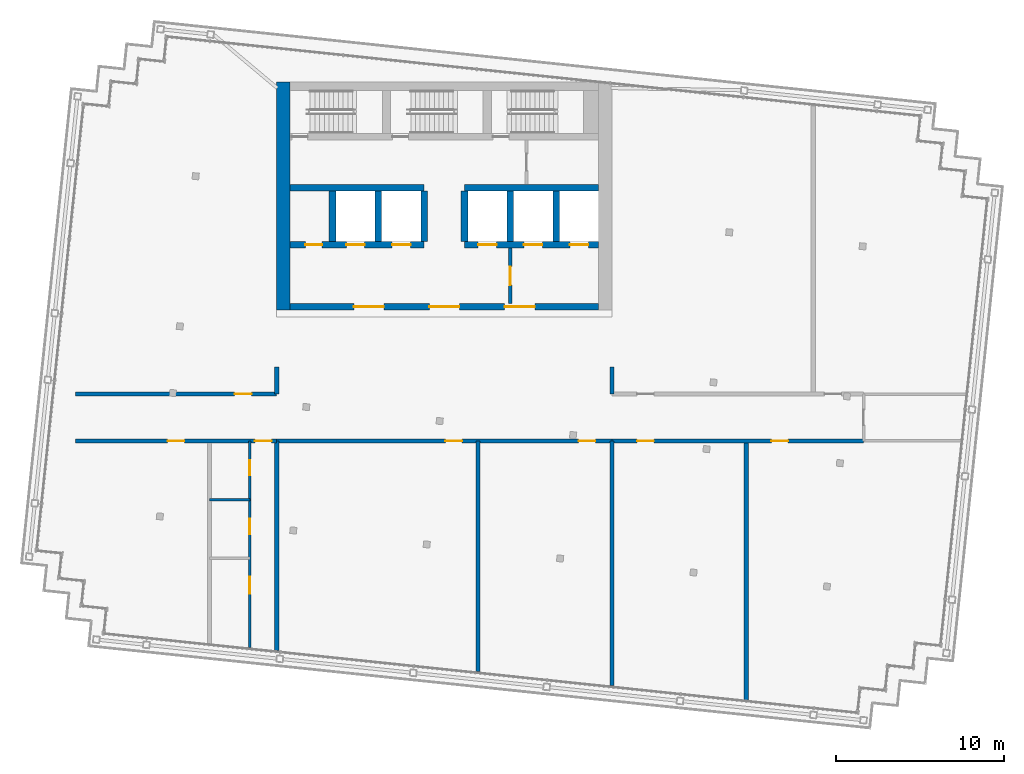
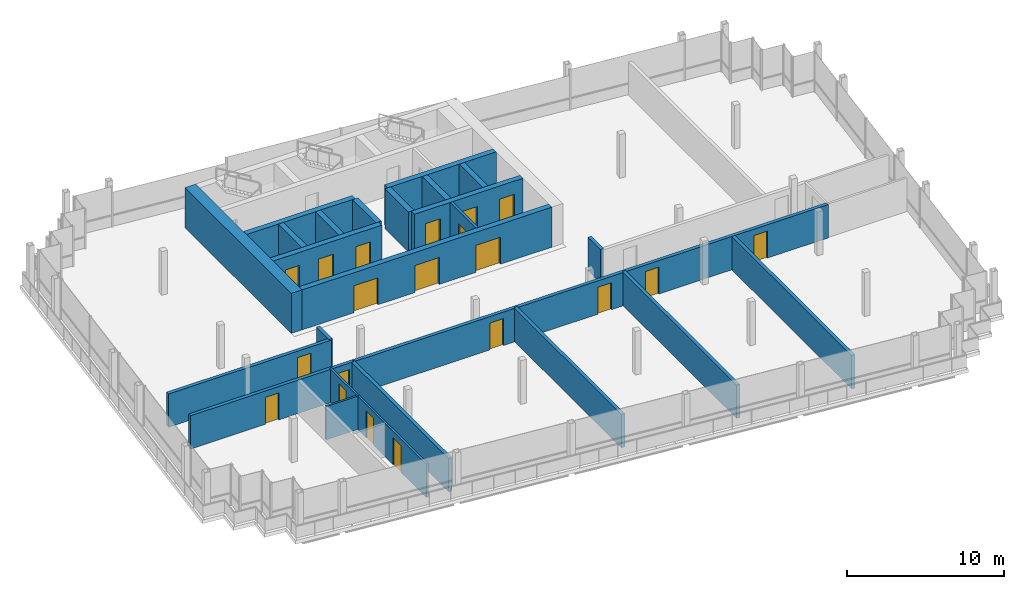
# One storey, part 11 of 15: 25 walls, 20 doors, 20 openings.
"""IFC4 building model written with IfcOpenShell, lengths in metres."""

import ifcopenshell
import ifcopenshell.guid

model = None  # the IFC model being written
_history = None  # IfcOwnerHistory: only IFC2X3 demands one
_inside = {}  # id of a spatial element -> (the spatial element, [elements in it])
_under = {}  # id of a project, library or spatial element -> (it, [spatial elements below it])
_declared = {}  # id of a project -> (the project, [libraries it declares])
_typed = {}  # id of a type object -> (the type object, [elements of that type])
_made_of = {}  # id of a material, layer set ... -> (it, [elements and type objects made of it])


def new_model(schema):
    """Start an empty IFC model of exactly this schema.

    Asked for "IFC4X3", IfcOpenShell would pick the latest addendum, in which some entities
    have other attributes; the version numbers below select the first issue.
    IFC2X3 requires an IfcOwnerHistory on every rooted entity: one is made here for all.
    """
    global model, _history
    if schema == "IFC4X3":
        model = ifcopenshell.file(schema_version=(4, 3, 0, 0))
    else:
        model = ifcopenshell.file(schema=schema)
    _inside.clear()
    _under.clear()
    _declared.clear()
    _typed.clear()
    _made_of.clear()
    _history = None
    if model.schema == "IFC2X3":
        org = make("IfcOrganization", Name="unknown")
        user = make(
            "IfcPersonAndOrganization",
            ThePerson=make("IfcPerson", FamilyName="unknown"),
            TheOrganization=org,
        )
        app = make(
            "IfcApplication",
            ApplicationDeveloper=org,
            Version="unknown",
            ApplicationFullName="unknown",
            ApplicationIdentifier="unknown",
        )
        _history = make(
            "IfcOwnerHistory",
            OwningUser=user,
            OwningApplication=app,
            ChangeAction="ADDED",
            CreationDate=0,
        )
    return model


def make(cls, **values):
    """One entity of the class cls with the attributes given. An attribute that is None is left unset."""
    return model.create_entity(
        cls, **{name: value for name, value in values.items() if value is not None}
    )


def rooted(cls, **values):
    """An entity with a GlobalId (a new one), such as an element, a storey or a relation."""
    return make(cls, GlobalId=ifcopenshell.guid.new(), OwnerHistory=_history, **values)


def si_unit(unit_type, name, prefix=None):
    """IfcSIUnit, for example si_unit("LENGTHUNIT", "METRE", prefix="MILLI")."""
    return make("IfcSIUnit", UnitType=unit_type, Prefix=prefix, Name=name)


def assignment(units):
    """IfcUnitAssignment: the units of a project."""
    return None if units is None else make("IfcUnitAssignment", Units=units)


def point(xyz):
    """IfcCartesianPoint."""
    return None if xyz is None else make("IfcCartesianPoint", Coordinates=xyz)


def direction(xyz):
    """IfcDirection."""
    return None if xyz is None else make("IfcDirection", DirectionRatios=xyz)


def frame(location, z_axis=None, x_axis=None):
    """IfcAxis2Placement3D, a coordinate frame: its origin and axes. An axis left out is left unset."""
    return make(
        "IfcAxis2Placement3D",
        Location=point(location),
        Axis=direction(z_axis),
        RefDirection=direction(x_axis),
    )


def frame_2d(location, x_axis=None):
    """IfcAxis2Placement2D, a coordinate frame in the plane: its origin and x axis."""
    return make(
        "IfcAxis2Placement2D", Location=point(location), RefDirection=direction(x_axis)
    )


def origin():
    """The frame at (0, 0, 0) with its axes left unset."""
    return frame((0.0, 0.0, 0.0))


def place(relative_to, where):
    """IfcLocalPlacement: puts the frame where relative to a parent placement (None: the world)."""
    return make(
        "IfcLocalPlacement", PlacementRelTo=relative_to, RelativePlacement=where
    )


def context(
    kind, dimensions, precision=None, world=None, true_north=None, identifier=None
):
    """IfcGeometricRepresentationContext, for example the 3D "Model" context."""
    return make(
        "IfcGeometricRepresentationContext",
        ContextIdentifier=identifier,
        ContextType=kind,
        CoordinateSpaceDimension=dimensions,
        Precision=precision,
        WorldCoordinateSystem=world,
        TrueNorth=true_north,
    )


def subcontext(parent, identifier, kind, view, scale=None):
    """IfcGeometricRepresentationSubContext, for example "Body" below "Model"."""
    return make(
        "IfcGeometricRepresentationSubContext",
        ContextIdentifier=identifier,
        ContextType=kind,
        ParentContext=parent,
        TargetScale=scale,
        TargetView=view,
    )


def project(units=None, contexts=None):
    """IfcProject with its units and contexts."""
    return rooted(
        "IfcProject",
        Name="project",
        RepresentationContexts=contexts,
        UnitsInContext=assignment(units),
    )


def spatial(cls, under=None, at=None, **own):
    """A site, building, storey or space (cls), placed at a placement, below another one or the project."""
    s = rooted(cls, ObjectPlacement=at, **own)
    if under is not None:
        _under.setdefault(under.id(), (under, []))[1].append(s)
    return s


def profile(cls, at=None, kind="AREA", **sizes):
    """A parametric profile (cls). Its sizes go by their IFC names, for example OverallWidth=200.0."""
    return make(cls, ProfileType=kind, Position=at, **sizes)


def rectangle(**sizes):
    """IfcRectangleProfileDef."""
    return profile("IfcRectangleProfileDef", **sizes)


def extrude(swept, where, along, depth):
    """IfcExtrudedAreaSolid: the profile swept, set in the frame where, extruded along a direction by depth."""
    return make(
        "IfcExtrudedAreaSolid",
        SweptArea=swept,
        Position=where,
        ExtrudedDirection=direction(along),
        Depth=depth,
    )


def shape(context_of_items, identifier, shape_type, items):
    """IfcShapeRepresentation: the items that make up one representation, for example the "Body"."""
    return make(
        "IfcShapeRepresentation",
        ContextOfItems=context_of_items,
        RepresentationIdentifier=identifier,
        RepresentationType=shape_type,
        Items=items,
    )


def material(Name=None, Category=None):
    """IfcMaterial."""
    return make("IfcMaterial", Name=Name, Category=Category)


def layer(
    of_material, thickness, ventilated=None, Name=None, Category=None, Priority=None
):
    """IfcMaterialLayer: one layer of a wall or slab, of a material (None: an air gap)."""
    return make(
        "IfcMaterialLayer",
        Material=of_material,
        LayerThickness=thickness,
        IsVentilated=ventilated,
        Name=Name,
        Category=Category,
        Priority=Priority,
    )


def layer_set(layers, Name=None):
    """IfcMaterialLayerSet."""
    return make("IfcMaterialLayerSet", MaterialLayers=layers, LayerSetName=Name)


def made_of(thing, what):
    """Note that an element or type object is made of a material, layer set ...; save() writes the relation."""
    if what is not None:
        _made_of.setdefault(what.id(), (what, []))[1].append(thing)
    return thing


def type_object(cls, material=None, **own):
    """A type object (cls), such as IfcWallType, which elements share."""
    return made_of(rooted(cls, **own), material)


def element(
    cls,
    number,
    at=None,
    inside=None,
    cuts=None,
    type_object=None,
    material=None,
    context=None,
    identifier="Body",
    shape_type=None,
    held_by="IfcProductDefinitionShape",
    body=None,
    shapes=None,
    **own,
):
    """One element of the class cls, such as IfcWall. Its Tag is "e" and its number.

    at: its placement. inside: the storey or other place that contains it. cuts: it is an
    opening in that element (IfcRelVoidsElement). A single representation is given by context,
    identifier, shape_type and body (its items); several are given by shapes. held_by: the class
    of the entity that holds the representations. save() writes the other relations.
    """
    e = rooted(cls, Tag="e%d" % number, ObjectPlacement=at, **own)
    if body is not None:
        shapes = [shape(context, identifier, shape_type, body)]
    if shapes is not None:
        e.Representation = make(held_by, Representations=shapes)
    if inside is not None:
        _inside.setdefault(inside.id(), (inside, []))[1].append(e)
    if cuts is not None:
        rooted(
            "IfcRelVoidsElement", RelatingBuildingElement=cuts, RelatedOpeningElement=e
        )
    if type_object is not None:
        _typed.setdefault(type_object.id(), (type_object, []))[1].append(e)
    return made_of(e, material)


def fill(opening, filler):
    """IfcRelFillsElement: the door or window that sits in an opening."""
    return rooted(
        "IfcRelFillsElement",
        RelatingOpeningElement=opening,
        RelatedBuildingElement=filler,
    )


def aggregate(whole, parts):
    """IfcRelAggregates: a whole, such as a stair, and the parts it consists of."""
    return rooted("IfcRelAggregates", RelatingObject=whole, RelatedObjects=parts)


def save(model, path):
    """Write the relations noted so far, then the file.

    IfcRelAggregates (storeys below a building ...), IfcRelContainedInSpatialStructure (elements
    in a storey), IfcRelDefinesByType, IfcRelAssociatesMaterial and IfcRelDeclares: one each for
    every whole, place, type object, material and project.
    """
    for whole, parts in _under.values():
        aggregate(whole, parts)
    for where, things in _inside.values():
        rooted(
            "IfcRelContainedInSpatialStructure",
            RelatedElements=things,
            RelatingStructure=where,
        )
    for kind, things in _typed.values():
        rooted("IfcRelDefinesByType", RelatedObjects=things, RelatingType=kind)
    for what, things in _made_of.values():
        rooted("IfcRelAssociatesMaterial", RelatedObjects=things, RelatingMaterial=what)
    for by, libraries in _declared.values():
        rooted("IfcRelDeclares", RelatingContext=by, RelatedDefinitions=libraries)
    model.write(path)


model = new_model("IFC4")

# Units and contexts
model_context = context("Model", 3, precision=1e-05, world=origin(), true_north=direction((0.0, 1.0)))
body_context = subcontext(model_context, "Body", "Model", "MODEL_VIEW")
ifc_project = project(units=[si_unit("LENGTHUNIT", "METRE"), si_unit("AREAUNIT", "SQUARE_METRE"), si_unit("VOLUMEUNIT", "CUBIC_METRE"), si_unit("PLANEANGLEUNIT", "RADIAN"), si_unit("MASSUNIT", "GRAM", prefix="KILO")], contexts=[model_context])

# Site, building, storey
site_placement = place(None, origin())
site = spatial("IfcSite", under=ifc_project, at=site_placement, CompositionType="ELEMENT")
building_placement = place(site_placement, origin())
building = spatial("IfcBuilding", under=site, at=building_placement, Name="Vidyagriha Tower", CompositionType="ELEMENT")
storey_placement = place(building_placement, frame((0.0, 0.0, 291.5)))
storey = spatial("IfcBuildingStorey", under=building, at=storey_placement, Name="L75", CompositionType="ELEMENT", Elevation=291.5)

# Wall, openings, doors
ifc_material_1 = material(Name="Concrete C60/75", Category="concrete")
ifc_layer_1 = layer(ifc_material_1, 0.39990234375)
ifc_layer_set_1 = layer_set([ifc_layer_1], Name="Concrete C60/75")
wall_type_1 = type_object("IfcWallType", Name="Core shear wall 400 mm", PredefinedType="SHEAR", material=ifc_layer_set_1)
wall_1_placement = place(storey_placement, frame((-9.199951171875, 6.60009765625, 0.0)))
wall_1 = element("IfcWall", 1, at=wall_1_placement, inside=storey, type_object=wall_type_1, Name="Core south wall", PredefinedType="SHEAR", context=body_context, shape_type="SweptSolid", body=[
    extrude(rectangle(XDim=18.39990234375, YDim=0.39990234375, at=frame_2d((9.199951171875, 0.0))), origin(), (0.0, 0.0, 1.0), 3.1201171875),
])
opening_1_placement = place(wall_1_placement, frame((8.300048828125, 0.0, 0.0)))
opening_1 = element("IfcOpeningElement", 2, at=opening_1_placement, cuts=wall_1, Name="Opening D75-01", PredefinedType="OPENING", context=body_context, shape_type="SweptSolid", body=[
    extrude(rectangle(XDim=1.800048828125, YDim=2.10009765625, at=frame_2d((0.89990234375, 1.050048828125))), frame((0.0, 0.2099609375, 0.0), z_axis=(0.0, -1.0, 0.0), x_axis=(1.0, 0.0, 0.0)), (0.0, 0.0, 1.0), 0.419921875),
])
opening_2_placement = place(wall_1_placement, frame((3.800048828125, 0.0, 0.0)))
opening_2 = element("IfcOpeningElement", 3, at=opening_2_placement, cuts=wall_1, Name="Opening D75-02", PredefinedType="OPENING", context=body_context, shape_type="SweptSolid", body=[
    extrude(rectangle(XDim=1.800048828125, YDim=2.10009765625, at=frame_2d((0.89990234375, 1.050048828125))), frame((0.0, 0.2099609375, 0.0), z_axis=(0.0, -1.0, 0.0), x_axis=(1.0, 0.0, 0.0)), (0.0, 0.0, 1.0), 0.419921875),
])
opening_3_placement = place(wall_1_placement, frame((12.800048828125, 0.0, 0.0)))
opening_3 = element("IfcOpeningElement", 4, at=opening_3_placement, cuts=wall_1, Name="Opening D75-03", PredefinedType="OPENING", context=body_context, shape_type="SweptSolid", body=[
    extrude(rectangle(XDim=1.800048828125, YDim=2.10009765625, at=frame_2d((0.89990234375, 1.050048828125))), frame((0.0, 0.2099609375, 0.0), z_axis=(0.0, -1.0, 0.0), x_axis=(1.0, 0.0, 0.0)), (0.0, 0.0, 1.0), 0.419921875),
])
ifc_material_2 = material(Name="Hollow metal door leaf")
door_type_1 = type_object("IfcDoorType", Name="Core lobby double door 1800 x 2100 mm EI 60", OperationType="NOTDEFINED", PredefinedType="DOOR", material=ifc_material_2)
door_1_placement = place(opening_1_placement, frame((1.800048828125, 0.0, 0.0), z_axis=(0.0, 0.0, 1.0), x_axis=(-1.0, 0.0, 0.0)))
door_1 = element("IfcDoor", 5, at=door_1_placement, inside=storey, type_object=door_type_1, Name="Core entrance door L75", OperationType="DOUBLE_DOOR_SINGLE_SWING", OverallHeight=2.10009765625, OverallWidth=1.800048828125, PredefinedType="DOOR", context=body_context, shape_type="SweptSolid", body=[
    extrude(rectangle(XDim=1.800048828125, YDim=2.10009765625, at=frame_2d((0.89990234375, 1.050048828125))), frame((0.0, 0.02490234375, 0.0), z_axis=(0.0, -1.0, 0.0), x_axis=(1.0, 0.0, 0.0)), (0.0, 0.0, 1.0), 0.050048828125),
])
fill(opening_1, door_1)
door_2_placement = place(opening_2_placement, frame((1.800048828125, 0.0, 0.0), z_axis=(0.0, 0.0, 1.0), x_axis=(-1.0, 0.0, 0.0)))
door_2 = element("IfcDoor", 6, at=door_2_placement, inside=storey, type_object=door_type_1, Name="Core entrance door west L75", OperationType="DOUBLE_DOOR_SINGLE_SWING", OverallHeight=2.10009765625, OverallWidth=1.800048828125, PredefinedType="DOOR", context=body_context, shape_type="SweptSolid", body=[
    extrude(rectangle(XDim=1.800048828125, YDim=2.10009765625, at=frame_2d((0.89990234375, 1.050048828125))), frame((0.0, 0.02490234375, 0.0), z_axis=(0.0, -1.0, 0.0), x_axis=(1.0, 0.0, 0.0)), (0.0, 0.0, 1.0), 0.050048828125),
])
fill(opening_2, door_2)
door_3_placement = place(opening_3_placement, frame((1.800048828125, 0.0, 0.0), z_axis=(0.0, 0.0, 1.0), x_axis=(-1.0, 0.0, 0.0)))
door_3 = element("IfcDoor", 7, at=door_3_placement, inside=storey, type_object=door_type_1, Name="Core entrance door east L75", OperationType="DOUBLE_DOOR_SINGLE_SWING", OverallHeight=2.10009765625, OverallWidth=1.800048828125, PredefinedType="DOOR", context=body_context, shape_type="SweptSolid", body=[
    extrude(rectangle(XDim=1.800048828125, YDim=2.10009765625, at=frame_2d((0.89990234375, 1.050048828125))), frame((0.0, 0.02490234375, 0.0), z_axis=(0.0, -1.0, 0.0), x_axis=(1.0, 0.0, 0.0)), (0.0, 0.0, 1.0), 0.050048828125),
])
fill(opening_3, door_3)

wall_2_placement = place(storey_placement, frame((-9.199951171875, 10.300048828125, 0.0)))
wall_2 = element("IfcWall", 8, at=wall_2_placement, inside=storey, type_object=wall_type_1, Name="Core row N front wall", PredefinedType="SHEAR", context=body_context, shape_type="SweptSolid", body=[
    extrude(rectangle(XDim=8.0, YDim=0.39990234375, at=frame_2d((4.0, 0.0))), origin(), (0.0, 0.0, 1.0), 3.1201171875),
])
opening_4_placement = place(wall_2_placement, frame((3.35009765625, 0.0, 0.0)))
opening_4 = element("IfcOpeningElement", 9, at=opening_4_placement, cuts=wall_2, Name="Opening LD75-01", PredefinedType="OPENING", context=body_context, shape_type="SweptSolid", body=[
    extrude(rectangle(XDim=1.10009765625, YDim=2.10009765625, at=frame_2d((0.550048828125, 1.050048828125))), frame((0.0, 0.2099609375, 0.0), z_axis=(0.0, -1.0, 0.0), x_axis=(1.0, 0.0, 0.0)), (0.0, 0.0, 1.0), 0.419921875),
])
opening_5_placement = place(wall_2_placement, frame((6.083251953125, 0.0, 0.0)))
opening_5 = element("IfcOpeningElement", 10, at=opening_5_placement, cuts=wall_2, Name="Opening LD75-02", PredefinedType="OPENING", context=body_context, shape_type="SweptSolid", body=[
    extrude(rectangle(XDim=1.10009765625, YDim=2.10009765625, at=frame_2d((0.550048828125, 1.050048828125))), frame((0.0, 0.2099609375, 0.0), z_axis=(0.0, -1.0, 0.0), x_axis=(1.0, 0.0, 0.0)), (0.0, 0.0, 1.0), 0.419921875),
])
opening_6_placement = place(wall_2_placement, frame((0.916748046875, 0.0, 0.0)))
opening_6 = element("IfcOpeningElement", 11, at=opening_6_placement, cuts=wall_2, Name="Opening D75-04", PredefinedType="OPENING", context=body_context, shape_type="SweptSolid", body=[
    extrude(rectangle(XDim=1.0, YDim=2.10009765625, at=frame_2d((0.5, 1.050048828125))), frame((0.0, 0.2099609375, 0.0), z_axis=(0.0, -1.0, 0.0), x_axis=(1.0, 0.0, 0.0)), (0.0, 0.0, 1.0), 0.419921875),
])
ifc_material_3 = material(Name="Hollow metal door leaf")
door_type_2 = type_object("IfcDoorType", Name="Core room door 1000 x 2100 mm EI 60", OperationType="NOTDEFINED", PredefinedType="DOOR", material=ifc_material_3)
door_4_placement = place(opening_6_placement, frame((1.0, 0.0, 0.0), z_axis=(0.0, 0.0, 1.0), x_axis=(-1.0, 0.0, 0.0)))
door_4 = element("IfcDoor", 12, at=door_4_placement, inside=storey, type_object=door_type_2, Name="Door Cleaners Store 75.14", OperationType="SINGLE_SWING_RIGHT", OverallHeight=2.10009765625, OverallWidth=1.0, PredefinedType="DOOR", context=body_context, shape_type="SweptSolid", body=[
    extrude(rectangle(XDim=1.0, YDim=2.10009765625, at=frame_2d((0.5, 1.050048828125))), frame((0.0, 0.02490234375, 0.0), z_axis=(0.0, -1.0, 0.0), x_axis=(1.0, 0.0, 0.0)), (0.0, 0.0, 1.0), 0.050048828125),
])
fill(opening_6, door_4)
ifc_material_4 = material(Name="Stainless steel sliding door panel", Category="steel")
door_type_3 = type_object("IfcDoorType", Name="Lift landing door 1100 x 2100 mm EI 90", OperationType="NOTDEFINED", PredefinedType="DOOR", material=ifc_material_4)
door_5_placement = place(opening_4_placement, origin())
door_5 = element("IfcDoor", 13, at=door_5_placement, inside=storey, type_object=door_type_3, Name="Landing door HR1 L75", OperationType="SLIDING_TO_LEFT", OverallHeight=2.10009765625, OverallWidth=1.10009765625, PredefinedType="DOOR", context=body_context, shape_type="SweptSolid", body=[
    extrude(rectangle(XDim=1.10009765625, YDim=2.10009765625, at=frame_2d((0.550048828125, 1.050048828125))), frame((0.0, 0.02490234375, 0.0), z_axis=(0.0, -1.0, 0.0), x_axis=(1.0, 0.0, 0.0)), (0.0, 0.0, 1.0), 0.050048828125),
])
fill(opening_4, door_5)
door_6_placement = place(opening_5_placement, origin())
door_6 = element("IfcDoor", 14, at=door_6_placement, inside=storey, type_object=door_type_3, Name="Landing door HR2 L75", OperationType="SLIDING_TO_LEFT", OverallHeight=2.10009765625, OverallWidth=1.10009765625, PredefinedType="DOOR", context=body_context, shape_type="SweptSolid", body=[
    extrude(rectangle(XDim=1.10009765625, YDim=2.10009765625, at=frame_2d((0.550048828125, 1.050048828125))), frame((0.0, 0.02490234375, 0.0), z_axis=(0.0, -1.0, 0.0), x_axis=(1.0, 0.0, 0.0)), (0.0, 0.0, 1.0), 0.050048828125),
])
fill(opening_5, door_6)

# Wall
wall_3_placement = place(storey_placement, frame((-9.199951171875, 13.699951171875, 0.0)))
element("IfcWall", 15, at=wall_3_placement, inside=storey, type_object=wall_type_1, Name="Core row N rear wall", PredefinedType="SHEAR", context=body_context, shape_type="SweptSolid", body=[
    extrude(rectangle(XDim=8.0, YDim=0.39990234375, at=frame_2d((4.0, 0.0))), origin(), (0.0, 0.0, 1.0), 3.1201171875),
])

# Wall, openings, doors
wall_4_placement = place(storey_placement, frame((1.199951171875, 10.300048828125, 0.0)))
wall_4 = element("IfcWall", 16, at=wall_4_placement, inside=storey, type_object=wall_type_1, Name="Core row N front wall", PredefinedType="SHEAR", context=body_context, shape_type="SweptSolid", body=[
    extrude(rectangle(XDim=8.0, YDim=0.39990234375, at=frame_2d((4.0, 0.0))), origin(), (0.0, 0.0, 1.0), 3.1201171875),
])
opening_7_placement = place(wall_4_placement, frame((0.816650390625, 0.0, 0.0)))
opening_7 = element("IfcOpeningElement", 17, at=opening_7_placement, cuts=wall_4, Name="Opening LD75-03", PredefinedType="OPENING", context=body_context, shape_type="SweptSolid", body=[
    extrude(rectangle(XDim=1.10009765625, YDim=2.10009765625, at=frame_2d((0.550048828125, 1.050048828125))), frame((0.0, 0.2099609375, 0.0), z_axis=(0.0, -1.0, 0.0), x_axis=(1.0, 0.0, 0.0)), (0.0, 0.0, 1.0), 0.419921875),
])
opening_8_placement = place(wall_4_placement, frame((3.550048828125, 0.0, 0.0)))
opening_8 = element("IfcOpeningElement", 18, at=opening_8_placement, cuts=wall_4, Name="Opening LD75-04", PredefinedType="OPENING", context=body_context, shape_type="SweptSolid", body=[
    extrude(rectangle(XDim=1.10009765625, YDim=2.10009765625, at=frame_2d((0.550048828125, 1.050048828125))), frame((0.0, 0.2099609375, 0.0), z_axis=(0.0, -1.0, 0.0), x_axis=(1.0, 0.0, 0.0)), (0.0, 0.0, 1.0), 0.419921875),
])
opening_9_placement = place(wall_4_placement, frame((6.283203125, 0.0, 0.0)))
opening_9 = element("IfcOpeningElement", 19, at=opening_9_placement, cuts=wall_4, Name="Opening LD75-05", PredefinedType="OPENING", context=body_context, shape_type="SweptSolid", body=[
    extrude(rectangle(XDim=1.10009765625, YDim=2.10009765625, at=frame_2d((0.550048828125, 1.050048828125))), frame((0.0, 0.2099609375, 0.0), z_axis=(0.0, -1.0, 0.0), x_axis=(1.0, 0.0, 0.0)), (0.0, 0.0, 1.0), 0.419921875),
])
door_7_placement = place(opening_7_placement, origin())
door_7 = element("IfcDoor", 20, at=door_7_placement, inside=storey, type_object=door_type_3, Name="Landing door HR3 L75", OperationType="SLIDING_TO_LEFT", OverallHeight=2.10009765625, OverallWidth=1.10009765625, PredefinedType="DOOR", context=body_context, shape_type="SweptSolid", body=[
    extrude(rectangle(XDim=1.10009765625, YDim=2.10009765625, at=frame_2d((0.550048828125, 1.050048828125))), frame((0.0, 0.02490234375, 0.0), z_axis=(0.0, -1.0, 0.0), x_axis=(1.0, 0.0, 0.0)), (0.0, 0.0, 1.0), 0.050048828125),
])
fill(opening_7, door_7)
door_8_placement = place(opening_8_placement, origin())
door_8 = element("IfcDoor", 21, at=door_8_placement, inside=storey, type_object=door_type_3, Name="Landing door FF1 L75", OperationType="SLIDING_TO_LEFT", OverallHeight=2.10009765625, OverallWidth=1.10009765625, PredefinedType="DOOR", context=body_context, shape_type="SweptSolid", body=[
    extrude(rectangle(XDim=1.10009765625, YDim=2.10009765625, at=frame_2d((0.550048828125, 1.050048828125))), frame((0.0, 0.02490234375, 0.0), z_axis=(0.0, -1.0, 0.0), x_axis=(1.0, 0.0, 0.0)), (0.0, 0.0, 1.0), 0.050048828125),
])
fill(opening_8, door_8)
door_9_placement = place(opening_9_placement, origin())
door_9 = element("IfcDoor", 22, at=door_9_placement, inside=storey, type_object=door_type_3, Name="Landing door FF2 L75", OperationType="SLIDING_TO_LEFT", OverallHeight=2.10009765625, OverallWidth=1.10009765625, PredefinedType="DOOR", context=body_context, shape_type="SweptSolid", body=[
    extrude(rectangle(XDim=1.10009765625, YDim=2.10009765625, at=frame_2d((0.550048828125, 1.050048828125))), frame((0.0, 0.02490234375, 0.0), z_axis=(0.0, -1.0, 0.0), x_axis=(1.0, 0.0, 0.0)), (0.0, 0.0, 1.0), 0.050048828125),
])
fill(opening_9, door_9)

# Walls
wall_5_placement = place(storey_placement, frame((1.199951171875, 13.699951171875, 0.0)))
element("IfcWall", 23, at=wall_5_placement, inside=storey, type_object=wall_type_1, Name="Core row N rear wall", PredefinedType="SHEAR", context=body_context, shape_type="SweptSolid", body=[
    extrude(rectangle(XDim=8.0, YDim=0.39990234375, at=frame_2d((4.0, 0.0))), origin(), (0.0, 0.0, 1.0), 3.1201171875),
])
for number, where, z_axis, x_axis, name in (
    (24, (-6.666748046875, 10.5, 0.0), (0.0, 0.0, 1.0), (0.0, 1.0, 0.0), "Core bay wall N1"),
    (25, (-3.933349609375, 10.5, 0.0), (0.0, 0.0, 1.0), (0.0, 1.0, 0.0), "Core bay wall N2"),
    (26, (-1.199951171875, 10.5, 0.0), (0.0, 0.0, 1.0), (0.0, 1.0, 0.0), "Core bay wall N3"),
    (27, (1.199951171875, 10.5, 0.0), (0.0, 0.0, 1.0), (0.0, 1.0, 0.0), "Core bay wall N4"),
    (28, (3.933349609375, 10.5, 0.0), (0.0, 0.0, 1.0), (0.0, 1.0, 0.0), "Core bay wall N5"),
    (29, (6.666748046875, 10.5, 0.0), (0.0, 0.0, 1.0), (0.0, 1.0, 0.0), "Core bay wall N6"),
):
    element("IfcWall", number, at=place(storey_placement, frame(where, z_axis=z_axis, x_axis=x_axis)), inside=storey, type_object=wall_type_1, Name=name, PredefinedType="SHEAR", context=body_context, shape_type="SweptSolid", body=[
        extrude(rectangle(XDim=3.0, YDim=0.39990234375, at=frame_2d((1.5, 0.0))), origin(), (0.0, 0.0, 1.0), 3.1201171875),
    ])
ifc_material_5 = material(Name="Concrete C60/75", Category="concrete")
ifc_layer_2 = layer(ifc_material_5, 0.800048828125)
ifc_layer_set_2 = layer_set([ifc_layer_2], Name="Concrete C60/75")
wall_type_2 = type_object("IfcWallType", Name="Core shear wall 800 mm", PredefinedType="SHEAR", material=ifc_layer_set_2)
wall_6_placement = place(storey_placement, frame((-9.60009765625, 6.39990234375, 0.0), z_axis=(0.0, 0.0, 1.0), x_axis=(0.0, 1.0, 0.0)))
element("IfcWall", 30, at=wall_6_placement, inside=storey, type_object=wall_type_2, Name="Core west wall", PredefinedType="SHEAR", context=body_context, shape_type="SweptSolid", body=[
    extrude(rectangle(XDim=13.60009765625, YDim=0.800048828125, at=frame_2d((6.800048828125, 0.0))), origin(), (0.0, 0.0, 1.0), 3.1201171875),
])

# Wall, openings, doors
ifc_material_6 = material(Name="Fired clay brick masonry", Category="masonry")
ifc_layer_3 = layer(ifc_material_6, 0.25)
ifc_layer_set_3 = layer_set([ifc_layer_3], Name="Fired clay brick masonry")
wall_type_3 = type_object("IfcWallType", Name="Fired clay brick corridor wall 250", PredefinedType="PARTITIONING", material=ifc_layer_set_3)
wall_7_placement = place(storey_placement, frame((-10.0, -1.39990234375, 0.0), z_axis=(0.0, 0.0, 1.0), x_axis=(-1.0, 0.0, 0.0)))
wall_7 = element("IfcWall", 31, at=wall_7_placement, inside=storey, type_object=wall_type_3, Name="Wall all-L75-w001", PredefinedType="PARTITIONING", context=body_context, shape_type="SweptSolid", body=[
    extrude(rectangle(XDim=12.0, YDim=0.25, at=frame_2d((6.0, 0.0))), origin(), (0.0, 0.0, 1.0), 2.60009765625),
])
opening_10_placement = place(wall_7_placement, frame((0.300048828125, 0.0, 0.0)))
opening_10 = element("IfcOpeningElement", 32, at=opening_10_placement, cuts=wall_7, Name="Opening D75-13", PredefinedType="OPENING", context=body_context, shape_type="SweptSolid", body=[
    extrude(rectangle(XDim=1.0, YDim=2.10009765625, at=frame_2d((0.5, 1.050048828125))), frame((0.0, 0.135009765625, 0.0), z_axis=(0.0, -1.0, 0.0), x_axis=(1.0, 0.0, 0.0)), (0.0, 0.0, 1.0), 0.27001953125),
])
opening_11_placement = place(wall_7_placement, frame((5.5, 0.0, 0.0)))
opening_11 = element("IfcOpeningElement", 33, at=opening_11_placement, cuts=wall_7, Name="Opening D75-14", PredefinedType="OPENING", context=body_context, shape_type="SweptSolid", body=[
    extrude(rectangle(XDim=1.0, YDim=2.10009765625, at=frame_2d((0.5, 1.050048828125))), frame((0.0, 0.135009765625, 0.0), z_axis=(0.0, -1.0, 0.0), x_axis=(1.0, 0.0, 0.0)), (0.0, 0.0, 1.0), 0.27001953125),
])
ifc_material_7 = material(Name="Fire-rated timber door leaf EI 60", Category="wood")
door_type_4 = type_object("IfcDoorType", Name="Flat entrance fire door 1000x2100", OperationType="NOTDEFINED", PredefinedType="DOOR", material=ifc_material_7)
door_10_placement = place(opening_10_placement, origin())
door_10 = element("IfcDoor", 34, at=door_10_placement, inside=storey, type_object=door_type_4, Name="Door D75-13", OperationType="SINGLE_SWING_RIGHT", OverallHeight=2.10009765625, OverallWidth=1.0, PredefinedType="DOOR", context=body_context, shape_type="SweptSolid", body=[
    extrude(rectangle(XDim=1.0, YDim=2.10009765625, at=frame_2d((0.5, 1.050048828125))), frame((0.0, 0.02490234375, 0.0), z_axis=(0.0, -1.0, 0.0), x_axis=(1.0, 0.0, 0.0)), (0.0, 0.0, 1.0), 0.050048828125),
])
fill(opening_10, door_10)
door_11_placement = place(opening_11_placement, origin())
door_11 = element("IfcDoor", 35, at=door_11_placement, inside=storey, type_object=door_type_4, Name="Door D75-14", OperationType="SINGLE_SWING_LEFT", OverallHeight=2.10009765625, OverallWidth=1.0, PredefinedType="DOOR", context=body_context, shape_type="SweptSolid", body=[
    extrude(rectangle(XDim=1.0, YDim=2.10009765625, at=frame_2d((0.5, 1.050048828125))), frame((0.0, 0.02490234375, 0.0), z_axis=(0.0, -1.0, 0.0), x_axis=(1.0, 0.0, 0.0)), (0.0, 0.0, 1.0), 0.050048828125),
])
fill(opening_11, door_11)

# Wall, opening, door
wall_8_placement = place(storey_placement, frame((-22.0, 1.39990234375, 0.0)))
wall_8 = element("IfcWall", 36, at=wall_8_placement, inside=storey, type_object=wall_type_3, Name="Wall all-L75-w012", PredefinedType="PARTITIONING", context=body_context, shape_type="SweptSolid", body=[
    extrude(rectangle(XDim=12.0, YDim=0.25, at=frame_2d((6.0, 0.0))), origin(), (0.0, 0.0, 1.0), 2.60009765625),
])
opening_12_placement = place(wall_8_placement, frame((9.5, 0.0, 0.0)))
opening_12 = element("IfcOpeningElement", 37, at=opening_12_placement, cuts=wall_8, Name="Opening D75-15", PredefinedType="OPENING", context=body_context, shape_type="SweptSolid", body=[
    extrude(rectangle(XDim=1.0, YDim=2.10009765625, at=frame_2d((0.5, 1.050048828125))), frame((0.0, 0.135009765625, 0.0), z_axis=(0.0, -1.0, 0.0), x_axis=(1.0, 0.0, 0.0)), (0.0, 0.0, 1.0), 0.27001953125),
])
door_12_placement = place(opening_12_placement, origin())
door_12 = element("IfcDoor", 38, at=door_12_placement, inside=storey, type_object=door_type_4, Name="Door D75-15", OperationType="SINGLE_SWING_RIGHT", OverallHeight=2.10009765625, OverallWidth=1.0, PredefinedType="DOOR", context=body_context, shape_type="SweptSolid", body=[
    extrude(rectangle(XDim=1.0, YDim=2.10009765625, at=frame_2d((0.5, 1.050048828125))), frame((0.0, 0.02490234375, 0.0), z_axis=(0.0, -1.0, 0.0), x_axis=(1.0, 0.0, 0.0)), (0.0, 0.0, 1.0), 0.050048828125),
])
fill(opening_12, door_12)

# Wall, openings, doors
wall_9_placement = place(storey_placement, frame((25.0, -1.39990234375, 0.0), z_axis=(0.0, 0.0, 1.0), x_axis=(-1.0, 0.0, 0.0)))
wall_9 = element("IfcWall", 39, at=wall_9_placement, inside=storey, type_object=wall_type_3, Name="Wall all-L75-w014", PredefinedType="PARTITIONING", context=body_context, shape_type="SweptSolid", body=[
    extrude(rectangle(XDim=15.0, YDim=0.25, at=frame_2d((7.5, 0.0))), origin(), (0.0, 0.0, 1.0), 2.60009765625),
])
opening_13_placement = place(wall_9_placement, frame((12.5, 0.0, 0.0)))
opening_13 = element("IfcOpeningElement", 40, at=opening_13_placement, cuts=wall_9, Name="Opening D75-16", PredefinedType="OPENING", context=body_context, shape_type="SweptSolid", body=[
    extrude(rectangle(XDim=1.0, YDim=2.10009765625, at=frame_2d((0.5, 1.050048828125))), frame((0.0, 0.135009765625, 0.0), z_axis=(0.0, -1.0, 0.0), x_axis=(1.0, 0.0, 0.0)), (0.0, 0.0, 1.0), 0.27001953125),
])
opening_14_placement = place(wall_9_placement, frame((4.5, 0.0, 0.0)))
opening_14 = element("IfcOpeningElement", 41, at=opening_14_placement, cuts=wall_9, Name="Opening D75-17", PredefinedType="OPENING", context=body_context, shape_type="SweptSolid", body=[
    extrude(rectangle(XDim=1.0, YDim=2.10009765625, at=frame_2d((0.5, 1.050048828125))), frame((0.0, 0.135009765625, 0.0), z_axis=(0.0, -1.0, 0.0), x_axis=(1.0, 0.0, 0.0)), (0.0, 0.0, 1.0), 0.27001953125),
])
door_13_placement = place(opening_13_placement, origin())
door_13 = element("IfcDoor", 42, at=door_13_placement, inside=storey, type_object=door_type_4, Name="Door D75-16", OperationType="SINGLE_SWING_RIGHT", OverallHeight=2.10009765625, OverallWidth=1.0, PredefinedType="DOOR", context=body_context, shape_type="SweptSolid", body=[
    extrude(rectangle(XDim=1.0, YDim=2.10009765625, at=frame_2d((0.5, 1.050048828125))), frame((0.0, 0.02490234375, 0.0), z_axis=(0.0, -1.0, 0.0), x_axis=(1.0, 0.0, 0.0)), (0.0, 0.0, 1.0), 0.050048828125),
])
fill(opening_13, door_13)
door_14_placement = place(opening_14_placement, origin())
door_14 = element("IfcDoor", 43, at=door_14_placement, inside=storey, type_object=door_type_4, Name="Door D75-17", OperationType="SINGLE_SWING_RIGHT", OverallHeight=2.10009765625, OverallWidth=1.0, PredefinedType="DOOR", context=body_context, shape_type="SweptSolid", body=[
    extrude(rectangle(XDim=1.0, YDim=2.10009765625, at=frame_2d((0.5, 1.050048828125))), frame((0.0, 0.02490234375, 0.0), z_axis=(0.0, -1.0, 0.0), x_axis=(1.0, 0.0, 0.0)), (0.0, 0.0, 1.0), 0.050048828125),
])
fill(opening_14, door_14)

wall_10_placement = place(storey_placement, frame((10.0, -1.39990234375, 0.0), z_axis=(0.0, 0.0, 1.0), x_axis=(-1.0, 0.0, 0.0)))
wall_10 = element("IfcWall", 44, at=wall_10_placement, inside=storey, type_object=wall_type_3, Name="Wall all-L75-w030", PredefinedType="PARTITIONING", context=body_context, shape_type="SweptSolid", body=[
    extrude(rectangle(XDim=20.0, YDim=0.25, at=frame_2d((10.0, 0.0))), origin(), (0.0, 0.0, 1.0), 2.60009765625),
])
opening_15_placement = place(wall_10_placement, frame((8.943603515625, 0.0, 0.0)))
opening_15 = element("IfcOpeningElement", 45, at=opening_15_placement, cuts=wall_10, Name="Opening D75-21", PredefinedType="OPENING", context=body_context, shape_type="SweptSolid", body=[
    extrude(rectangle(XDim=1.0, YDim=2.10009765625, at=frame_2d((0.5, 1.050048828125))), frame((0.0, 0.135009765625, 0.0), z_axis=(0.0, -1.0, 0.0), x_axis=(1.0, 0.0, 0.0)), (0.0, 0.0, 1.0), 0.27001953125),
])
opening_16_placement = place(wall_10_placement, frame((0.987548828125, 0.0, 0.0)))
opening_16 = element("IfcOpeningElement", 46, at=opening_16_placement, cuts=wall_10, Name="Opening D75-22", PredefinedType="OPENING", context=body_context, shape_type="SweptSolid", body=[
    extrude(rectangle(XDim=1.0, YDim=2.10009765625, at=frame_2d((0.5, 1.050048828125))), frame((0.0, 0.135009765625, 0.0), z_axis=(0.0, -1.0, 0.0), x_axis=(1.0, 0.0, 0.0)), (0.0, 0.0, 1.0), 0.27001953125),
])
door_15_placement = place(opening_15_placement, origin())
door_15 = element("IfcDoor", 47, at=door_15_placement, inside=storey, type_object=door_type_4, Name="Door D75-21", OperationType="SINGLE_SWING_LEFT", OverallHeight=2.10009765625, OverallWidth=1.0, PredefinedType="DOOR", context=body_context, shape_type="SweptSolid", body=[
    extrude(rectangle(XDim=1.0, YDim=2.10009765625, at=frame_2d((0.5, 1.050048828125))), frame((0.0, 0.02490234375, 0.0), z_axis=(0.0, -1.0, 0.0), x_axis=(1.0, 0.0, 0.0)), (0.0, 0.0, 1.0), 0.050048828125),
])
fill(opening_15, door_15)
door_16_placement = place(opening_16_placement, origin())
door_16 = element("IfcDoor", 48, at=door_16_placement, inside=storey, type_object=door_type_4, Name="Door D75-22", OperationType="SINGLE_SWING_LEFT", OverallHeight=2.10009765625, OverallWidth=1.0, PredefinedType="DOOR", context=body_context, shape_type="SweptSolid", body=[
    extrude(rectangle(XDim=1.0, YDim=2.10009765625, at=frame_2d((0.5, 1.050048828125))), frame((0.0, 0.02490234375, 0.0), z_axis=(0.0, -1.0, 0.0), x_axis=(1.0, 0.0, 0.0)), (0.0, 0.0, 1.0), 0.050048828125),
])
fill(opening_16, door_16)

# Walls
for number, where, z_axis, x_axis, name in (
    (49, (-10.0, 3.0, 0.0), (0.0, 0.0, 1.0), (0.0, -1.0, 0.0), "Wall all-L75-w031"),
    (50, (10.0, 1.39990234375, 0.0), (0.0, 0.0, 1.0), (0.0, 1.0, 0.0), "Wall all-L75-w032"),
):
    element("IfcWall", number, at=place(storey_placement, frame(where, z_axis=z_axis, x_axis=x_axis)), inside=storey, type_object=wall_type_3, Name=name, PredefinedType="PARTITIONING", context=body_context, shape_type="SweptSolid", body=[
        extrude(rectangle(XDim=1.60009765625, YDim=0.25, at=frame_2d((0.800048828125, 0.0))), origin(), (0.0, 0.0, 1.0), 2.60009765625),
    ])
ifc_material_8 = material(Name="Fired clay brick masonry", Category="masonry")
ifc_layer_4 = layer(ifc_material_8, 0.25)
ifc_layer_set_4 = layer_set([ifc_layer_4], Name="Fired clay brick masonry")
wall_type_4 = type_object("IfcWallType", Name="Fired clay brick demising wall 250", PredefinedType="PARTITIONING", material=ifc_layer_set_4)
wall_11_placement = place(storey_placement, frame((-10.0, -1.39990234375, 0.0), z_axis=(0.0, 0.0, 1.0), x_axis=(0.0, -1.0, 0.0)))
element("IfcWall", 51, at=wall_11_placement, inside=storey, type_object=wall_type_4, Name="Wall all-L75-w011", PredefinedType="PARTITIONING", context=body_context, shape_type="SweptSolid", body=[
    extrude(rectangle(XDim=12.4912109375, YDim=0.25, at=frame_2d((6.24560546875, 0.0))), origin(), (0.0, 0.0, 1.0), 2.60009765625),
])
wall_12_placement = place(storey_placement, frame((10.0, -1.39990234375, 0.0), z_axis=(0.0, 0.0, 1.0), x_axis=(0.0, -1.0, 0.0)))
element("IfcWall", 52, at=wall_12_placement, inside=storey, type_object=wall_type_4, Name="Wall all-L75-w020", PredefinedType="PARTITIONING", context=body_context, shape_type="SweptSolid", body=[
    extrude(rectangle(XDim=14.59326171875, YDim=0.25, at=frame_2d((7.296630859375, 0.0))), origin(), (0.0, 0.0, 1.0), 2.60009765625),
])
wall_13_placement = place(storey_placement, frame((18.0, -1.39990234375, 0.0), z_axis=(0.0, 0.0, 1.0), x_axis=(0.0, -1.0, 0.0)))
element("IfcWall", 53, at=wall_13_placement, inside=storey, type_object=wall_type_4, Name="Wall all-L75-w021", PredefinedType="PARTITIONING", context=body_context, shape_type="SweptSolid", body=[
    extrude(rectangle(XDim=15.43408203125, YDim=0.25, at=frame_2d((7.717041015625, 0.0))), origin(), (0.0, 0.0, 1.0), 2.60009765625),
])
wall_14_placement = place(storey_placement, frame((2.0, -1.39990234375, 0.0), z_axis=(0.0, 0.0, 1.0), x_axis=(0.0, -1.0, 0.0)))
element("IfcWall", 54, at=wall_14_placement, inside=storey, type_object=wall_type_4, Name="Wall all-L75-w029", PredefinedType="PARTITIONING", context=body_context, shape_type="SweptSolid", body=[
    extrude(rectangle(XDim=13.75244140625, YDim=0.25, at=frame_2d((6.876220703125, 0.0))), origin(), (0.0, 0.0, 1.0), 2.60009765625),
])
ifc_material_9 = material(Name="Gypsum board partition")
ifc_layer_5 = layer(ifc_material_9, 0.14990234375)
ifc_layer_set_5 = layer_set([ifc_layer_5], Name="Gypsum board partition")
wall_type_5 = type_object("IfcWallType", Name="Gypsum board partition 150", PredefinedType="PARTITIONING", material=ifc_layer_set_5)
wall_15_placement = place(storey_placement, frame((-11.60009765625, -4.89990234375, 0.0), z_axis=(0.0, 0.0, 1.0), x_axis=(-1.0, 0.0, 0.0)))
element("IfcWall", 55, at=wall_15_placement, inside=storey, type_object=wall_type_5, Name="Wall all-L75-w004", PredefinedType="PARTITIONING", context=body_context, shape_type="SweptSolid", body=[
    extrude(rectangle(XDim=2.39990234375, YDim=0.14990234375, at=frame_2d((1.199951171875, 0.0))), origin(), (0.0, 0.0, 1.0), 2.60009765625),
])

# Wall, openings, doors
ifc_material_10 = material(Name="Moisture resistant gypsum board partition")
ifc_layer_6 = layer(ifc_material_10, 0.14990234375)
ifc_layer_set_6 = layer_set([ifc_layer_6], Name="Moisture resistant gypsum board partition")
wall_type_6 = type_object("IfcWallType", Name="Gypsum board wet-area partition 150", PredefinedType="PARTITIONING", material=ifc_layer_set_6)
wall_16_placement = place(storey_placement, frame((-11.60009765625, -13.722900390625, 0.0), z_axis=(0.0, 0.0, 1.0), x_axis=(0.0, 1.0, 0.0)))
wall_16 = element("IfcWall", 56, at=wall_16_placement, inside=storey, type_object=wall_type_6, Name="Wall all-L75-w002", PredefinedType="PARTITIONING", context=body_context, shape_type="SweptSolid", body=[
    extrude(rectangle(XDim=12.322998046875, YDim=0.14990234375, at=frame_2d((6.16162109375, 0.0))), origin(), (0.0, 0.0, 1.0), 2.60009765625),
])
opening_17_placement = place(wall_16_placement, frame((10.27294921875, 0.0, 0.0)))
opening_17 = element("IfcOpeningElement", 57, at=opening_17_placement, cuts=wall_16, Name="Opening D75-10", PredefinedType="OPENING", context=body_context, shape_type="SweptSolid", body=[
    extrude(rectangle(XDim=0.89990234375, YDim=2.10009765625, at=frame_2d((0.449951171875, 1.050048828125))), frame((0.0, 0.0849609375, 0.0), z_axis=(0.0, -1.0, 0.0), x_axis=(1.0, 0.0, 0.0)), (0.0, 0.0, 1.0), 0.169921875),
])
opening_18_placement = place(wall_16_placement, frame((6.77294921875, 0.0, 0.0)))
opening_18 = element("IfcOpeningElement", 58, at=opening_18_placement, cuts=wall_16, Name="Opening D75-11", PredefinedType="OPENING", context=body_context, shape_type="SweptSolid", body=[
    extrude(rectangle(XDim=0.89990234375, YDim=2.10009765625, at=frame_2d((0.449951171875, 1.050048828125))), frame((0.0, 0.0849609375, 0.0), z_axis=(0.0, -1.0, 0.0), x_axis=(1.0, 0.0, 0.0)), (0.0, 0.0, 1.0), 0.169921875),
])
opening_19_placement = place(wall_16_placement, frame((3.222900390625, 0.0, 0.0)))
opening_19 = element("IfcOpeningElement", 59, at=opening_19_placement, cuts=wall_16, Name="Opening D75-12", PredefinedType="OPENING", context=body_context, shape_type="SweptSolid", body=[
    extrude(rectangle(XDim=1.0, YDim=2.10009765625, at=frame_2d((0.5, 1.050048828125))), frame((0.0, 0.0849609375, 0.0), z_axis=(0.0, -1.0, 0.0), x_axis=(1.0, 0.0, 0.0)), (0.0, 0.0, 1.0), 0.169921875),
])
ifc_material_11 = material(Name="Timber door leaf", Category="wood")
door_type_5 = type_object("IfcDoorType", Name="Bathroom door 1000x2100", OperationType="NOTDEFINED", PredefinedType="DOOR", material=ifc_material_11)
door_17_placement = place(opening_19_placement, origin())
door_17 = element("IfcDoor", 60, at=door_17_placement, inside=storey, type_object=door_type_5, Name="Door D75-12", OperationType="SINGLE_SWING_RIGHT", OverallHeight=2.10009765625, OverallWidth=1.0, PredefinedType="DOOR", context=body_context, shape_type="SweptSolid", body=[
    extrude(rectangle(XDim=1.0, YDim=2.10009765625, at=frame_2d((0.5, 1.050048828125))), frame((0.0, 0.02490234375, 0.0), z_axis=(0.0, -1.0, 0.0), x_axis=(1.0, 0.0, 0.0)), (0.0, 0.0, 1.0), 0.050048828125),
])
fill(opening_19, door_17)
ifc_material_12 = material(Name="Timber door leaf", Category="wood")
door_type_6 = type_object("IfcDoorType", Name="Bathroom door 900x2100", OperationType="NOTDEFINED", PredefinedType="DOOR", material=ifc_material_12)
door_18_placement = place(opening_17_placement, origin())
door_18 = element("IfcDoor", 61, at=door_18_placement, inside=storey, type_object=door_type_6, Name="Door D75-10", OperationType="SINGLE_SWING_RIGHT", OverallHeight=2.10009765625, OverallWidth=0.89990234375, PredefinedType="DOOR", context=body_context, shape_type="SweptSolid", body=[
    extrude(rectangle(XDim=0.89990234375, YDim=2.10009765625, at=frame_2d((0.449951171875, 1.050048828125))), frame((0.0, 0.02490234375, 0.0), z_axis=(0.0, -1.0, 0.0), x_axis=(1.0, 0.0, 0.0)), (0.0, 0.0, 1.0), 0.050048828125),
])
fill(opening_17, door_18)
door_19_placement = place(opening_18_placement, origin())
door_19 = element("IfcDoor", 62, at=door_19_placement, inside=storey, type_object=door_type_6, Name="Door D75-11", OperationType="SINGLE_SWING_RIGHT", OverallHeight=2.10009765625, OverallWidth=0.89990234375, PredefinedType="DOOR", context=body_context, shape_type="SweptSolid", body=[
    extrude(rectangle(XDim=0.89990234375, YDim=2.10009765625, at=frame_2d((0.449951171875, 1.050048828125))), frame((0.0, 0.02490234375, 0.0), z_axis=(0.0, -1.0, 0.0), x_axis=(1.0, 0.0, 0.0)), (0.0, 0.0, 1.0), 0.050048828125),
])
fill(opening_18, door_19)

# Wall, opening, door
ifc_material_13 = material(Name="Blockwork 15 MPa", Category="masonry")
ifc_layer_7 = layer(ifc_material_13, 0.199951171875)
ifc_layer_set_7 = layer_set([ifc_layer_7], Name="Blockwork 15 MPa")
wall_type_7 = type_object("IfcWallType", Name="Service room partition 200 mm", PredefinedType="PARTITIONING", material=ifc_layer_set_7)
wall_17_placement = place(storey_placement, frame((3.933349609375, 6.800048828125, 0.0), z_axis=(0.0, 0.0, 1.0), x_axis=(0.0, 1.0, 0.0)))
wall_17 = element("IfcWall", 63, at=wall_17_placement, inside=storey, type_object=wall_type_7, Name="Fire-fighting lobby west wall", PredefinedType="PARTITIONING", context=body_context, shape_type="SweptSolid", body=[
    extrude(rectangle(XDim=3.300048828125, YDim=0.199951171875, at=frame_2d((1.64990234375, 0.0))), origin(), (0.0, 0.0, 1.0), 3.1201171875),
])
opening_20_placement = place(wall_17_placement, frame((1.10009765625, 0.0, 0.0)))
opening_20 = element("IfcOpeningElement", 64, at=opening_20_placement, cuts=wall_17, Name="Opening D75-05", PredefinedType="OPENING", context=body_context, shape_type="SweptSolid", body=[
    extrude(rectangle(XDim=1.10009765625, YDim=2.10009765625, at=frame_2d((0.550048828125, 1.050048828125))), frame((0.0, 0.10986328125, 0.0), z_axis=(0.0, -1.0, 0.0), x_axis=(1.0, 0.0, 0.0)), (0.0, 0.0, 1.0), 0.219970703125),
])
ifc_material_14 = material(Name="Hollow metal door leaf")
door_type_7 = type_object("IfcDoorType", Name="Fire-fighting lobby door 1100 x 2100 mm EI 90", OperationType="NOTDEFINED", PredefinedType="DOOR", material=ifc_material_14)
door_20_placement = place(opening_20_placement, origin())
door_20 = element("IfcDoor", 65, at=door_20_placement, inside=storey, type_object=door_type_7, Name="Fire-fighting lobby door L75", OperationType="SINGLE_SWING_RIGHT", OverallHeight=2.10009765625, OverallWidth=1.10009765625, PredefinedType="DOOR", context=body_context, shape_type="SweptSolid", body=[
    extrude(rectangle(XDim=1.10009765625, YDim=2.10009765625, at=frame_2d((0.550048828125, 1.050048828125))), frame((0.0, 0.02490234375, 0.0), z_axis=(0.0, -1.0, 0.0), x_axis=(1.0, 0.0, 0.0)), (0.0, 0.0, 1.0), 0.050048828125),
])
fill(opening_20, door_20)

save(model, "model.ifc")
